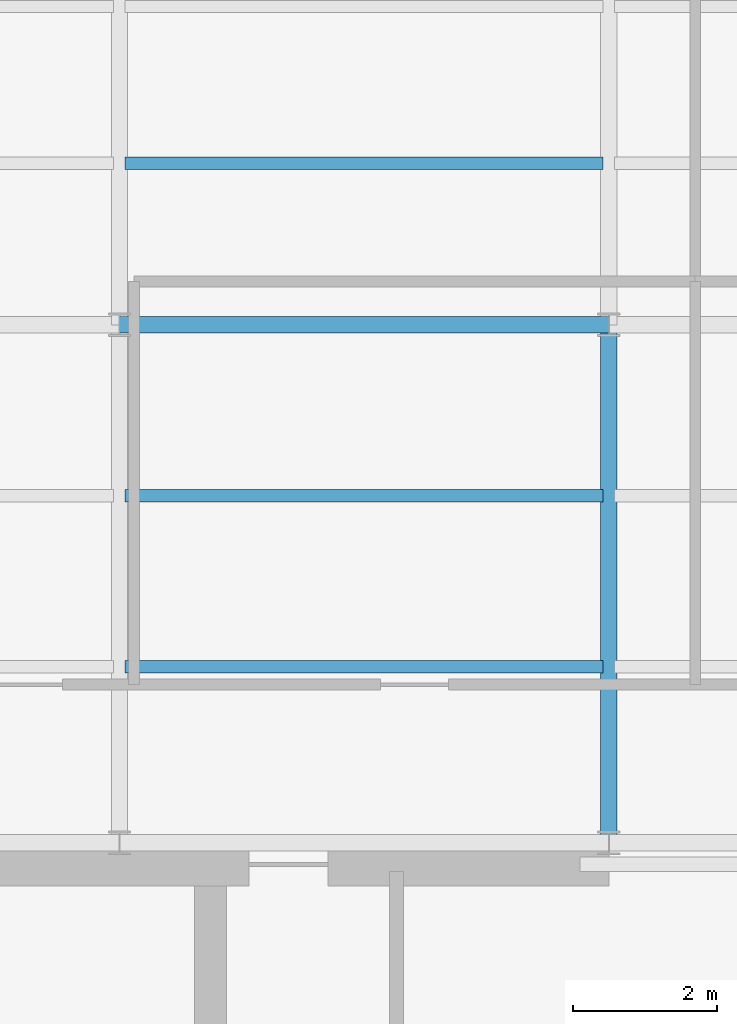
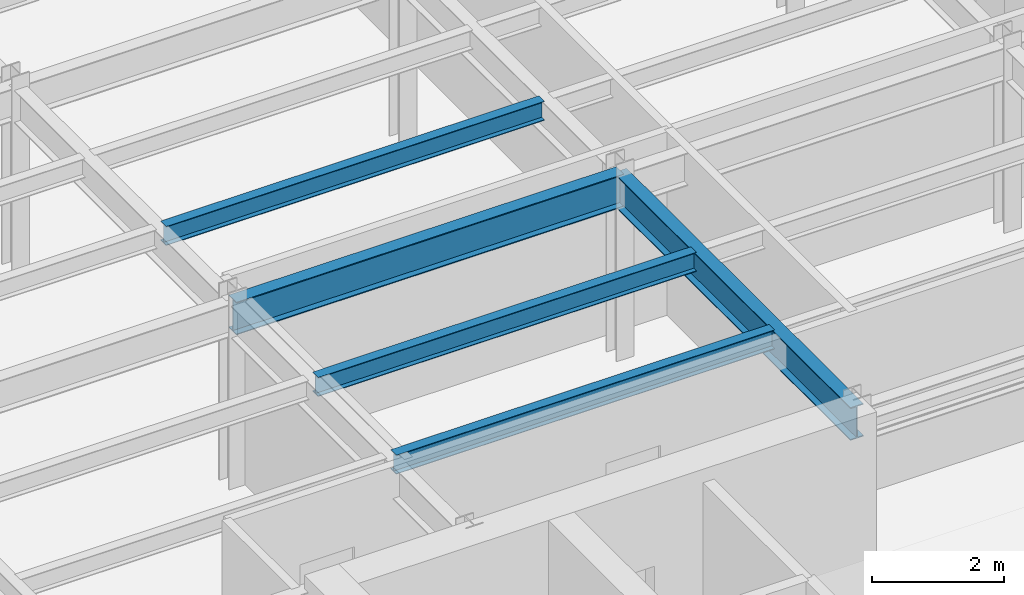
# One storey, part 6 of 22: 5 beams.
"""IFC4 building model written with IfcOpenShell, lengths in metres."""

from ifc_helpers import new_model, si_unit, derived_unit, direction, frame, origin, origin_2d, place, context, subcontext, project, spatial, i_section, extrude, source, transform, mapped, material, material_profile, profile_set, type_object, element, save


model = new_model("IFC4")

# Units and contexts
model_context = context("Model", 3, precision=1e-05, world=origin(), true_north=direction((0.0, 1.0)))
body_context = subcontext(model_context, "Body", "Model", "MODEL_VIEW")
ifc_project = project(units=[si_unit("LENGTHUNIT", "METRE"), si_unit("AREAUNIT", "SQUARE_METRE"), si_unit("VOLUMEUNIT", "CUBIC_METRE"), si_unit("PLANEANGLEUNIT", "RADIAN"), si_unit("MASSUNIT", "GRAM", prefix="KILO"), derived_unit("THERMALTRANSMITTANCEUNIT", [(si_unit("POWERUNIT", "WATT"), 1), (si_unit("LENGTHUNIT", "METRE"), -2), (si_unit("THERMODYNAMICTEMPERATUREUNIT", "KELVIN"), -1)])], contexts=[model_context])

# Site, building, storey
site_placement = place(None, origin())
site = spatial("IfcSite", under=ifc_project, at=site_placement, CompositionType="ELEMENT")
building_placement = place(site_placement, origin())
building = spatial("IfcBuilding", under=site, at=building_placement, Name="Skarnbrae Concourse Arena and Tower", CompositionType="ELEMENT")
storey_placement = place(building_placement, frame((0.0, 0.0, 195.89990234375)))
storey = spatial("IfcBuildingStorey", under=building, at=storey_placement, Name="L50", CompositionType="ELEMENT", Elevation=195.89990234375)

# Beams
ifc_material = material(Name="Steel CSA G40.21 350W", Category="steel")
ifc_material_profile_1 = material_profile(ifc_material, i_section(OverallWidth=0.22802734375, OverallDepth=0.60791015625, WebThickness=0.01123046875, FlangeThickness=0.017333984375, at=origin_2d()), Name="W610X113")
ifc_profile_set_1 = profile_set([ifc_material_profile_1], Name="Steel CSA G40.21 350W")
beam_type_1 = type_object("IfcBeamType", Name="BM-GIRD-W610X113", PredefinedType="BEAM", material=ifc_profile_set_1)
shared_shape_1 = source(origin(), body_context, "Body", "SweptSolid", [
    extrude(i_section(OverallWidth=0.22802734375, OverallDepth=0.60791015625, WebThickness=0.01123046875, FlangeThickness=0.017333984375, at=origin_2d()), origin(), (0.0, 0.0, 1.0), 6.7998046875),
])
beam_1_placement = place(storey_placement, frame((7.60009765625, 21.199951171875, 3.09619140625), z_axis=(1.0, 0.0, 0.0), x_axis=(0.0, 1.0, 0.0)))
element("IfcBeam", 1, at=beam_1_placement, inside=storey, type_object=beam_type_1, Name="L50 Primary E-W girder Y21.2-2", PredefinedType="BEAM", context=body_context, shape_type="MappedRepresentation", body=[
    mapped(shared_shape_1, transform((0.0, 0.0, 0.0))),
])
shared_shape_2 = source(origin(), body_context, "Body", "SweptSolid", [
    extrude(i_section(OverallWidth=0.22802734375, OverallDepth=0.60791015625, WebThickness=0.01123046875, FlangeThickness=0.017333984375, at=origin_2d()), origin(), (0.0, 0.0, 1.0), 7.199951171875),
])
beam_2_placement = place(storey_placement, frame((14.39990234375, 14.0, 3.09619140625), z_axis=(0.0, 1.0, 0.0), x_axis=(-1.0, 0.0, 0.0)))
element("IfcBeam", 2, at=beam_2_placement, inside=storey, type_object=beam_type_1, Name="L50 Primary N-S girder X14.4-1", PredefinedType="BEAM", context=body_context, shape_type="MappedRepresentation", body=[
    mapped(shared_shape_2, transform((0.0, 0.0, 0.0))),
])
ifc_material_profile_2 = material_profile(ifc_material, i_section(OverallWidth=0.1708984375, OverallDepth=0.35498046875, WebThickness=0.007080078125, FlangeThickness=0.01171875, at=origin_2d()), Name="W360X51")
ifc_profile_set_2 = profile_set([ifc_material_profile_2], Name="Steel CSA G40.21 350W")
beam_type_2 = type_object("IfcBeamType", Name="BM-JOIST-W360X51", PredefinedType="JOIST", material=ifc_profile_set_2)
shared_shape_3 = source(origin(), body_context, "Body", "SweptSolid", [
    extrude(i_section(OverallWidth=0.1708984375, OverallDepth=0.35498046875, WebThickness=0.007080078125, FlangeThickness=0.01171875, at=origin_2d()), origin(), (0.0, 0.0, 1.0), 6.64013671875),
])
for number, where, z_axis, x_axis, name in (
    (3, (7.679931640625, 16.447998046875, 3.22265625), (1.0, 0.0, 0.0), (0.0, 1.0, 0.0), "L50 Secondary floor joist 1.1.2"),
    (4, (7.679931640625, 18.823974609375, 3.22265625), (1.0, 0.0, 0.0), (0.0, 1.0, 0.0), "L50 Secondary floor joist 1.2.2"),
    (5, (7.679931640625, 23.444091796875, 3.22265625), (1.0, 0.0, 0.0), (0.0, 1.0, 0.0), "L50 Secondary floor joist 2.1.2"),
):
    element("IfcBeam", number, at=place(storey_placement, frame(where, z_axis=z_axis, x_axis=x_axis)), inside=storey, type_object=beam_type_2, Name=name, PredefinedType="JOIST", context=body_context, shape_type="MappedRepresentation", body=[
        mapped(shared_shape_3, transform((0.0, 0.0, 0.0))),
    ])

save(model, "model.ifc")
